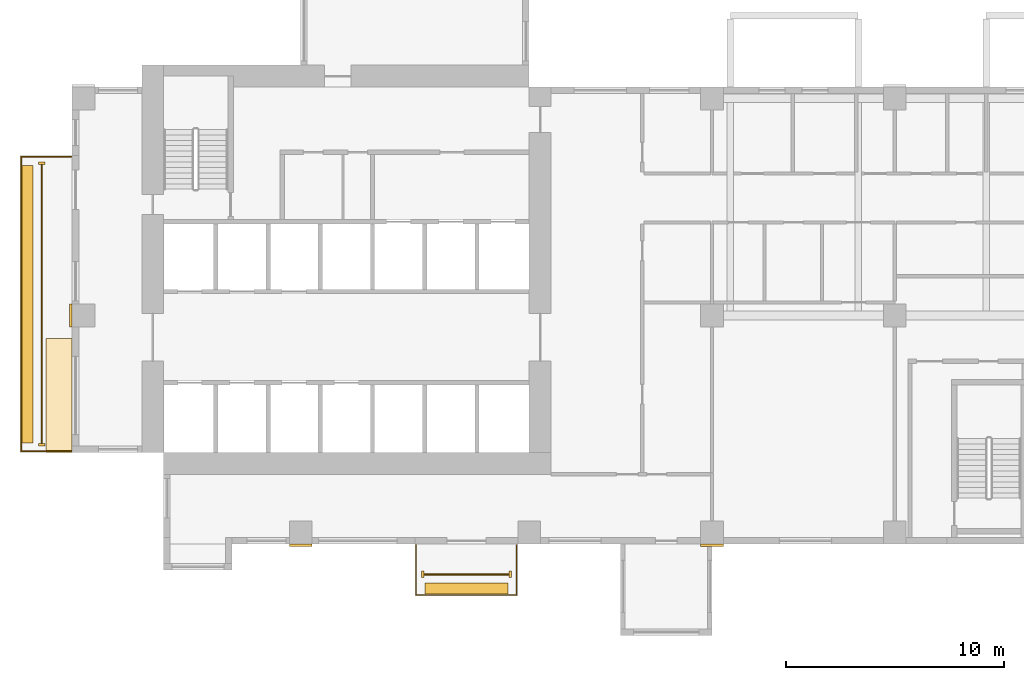
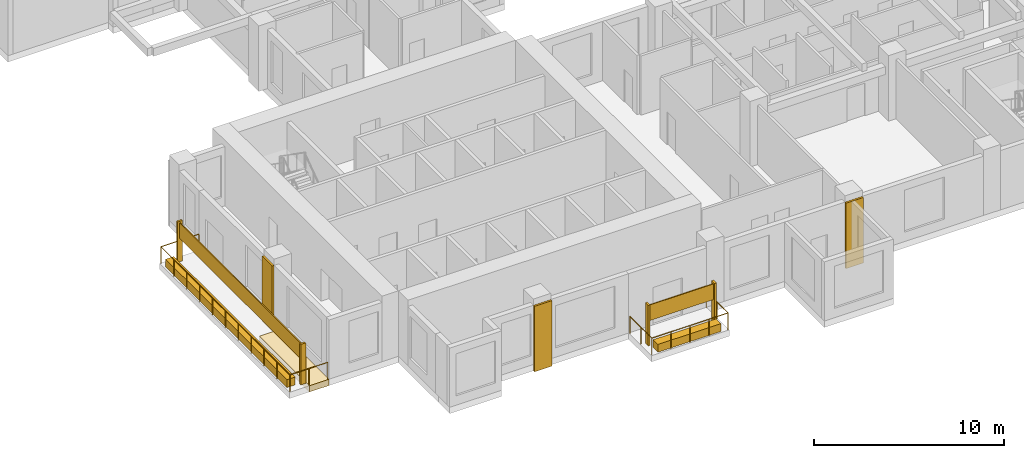
# One storey, part 10 of 14: 12 coverings, 2 railings.
"""IFC4 building model written with IfcOpenShell, lengths in metres."""

from ifc_helpers import new_model, si_unit, direction, frame, origin, origin_2d, place, context, subcontext, project, spatial, polyline, rectangle, circle, outline, extrude, source, transform, mapped, material, type_object, element, save


model = new_model("IFC4")

# Units and contexts
model_context = context("Model", 3, precision=1e-05, world=origin(), true_north=direction((0.0, 1.0)))
body_context = subcontext(model_context, "Body", "Model", "MODEL_VIEW")
ifc_project = project(units=[si_unit("LENGTHUNIT", "METRE"), si_unit("AREAUNIT", "SQUARE_METRE"), si_unit("VOLUMEUNIT", "CUBIC_METRE"), si_unit("PLANEANGLEUNIT", "RADIAN"), si_unit("MASSUNIT", "GRAM", prefix="KILO")], contexts=[model_context])

# Site, building, storey
site_placement = place(None, origin())
site = spatial("IfcSite", under=ifc_project, at=site_placement, CompositionType="ELEMENT")
building_placement = place(site_placement, origin())
building = spatial("IfcBuilding", under=site, at=building_placement, Name="Aurelian Terraces", CompositionType="ELEMENT")
storey_placement = place(building_placement, frame((0.0, 0.0, 132.9)))
storey = spatial("IfcBuildingStorey", under=building, at=storey_placement, Name="L29", CompositionType="ELEMENT", Elevation=132.9)

# Coverings
ifc_material_1 = material(Name="Terracotta rainscreen cladding relief", Category="masonry")
covering_type_1 = type_object("IfcCoveringType", Name="FIN-TC", PredefinedType="CLADDING", material=ifc_material_1)
shared_shape_1 = source(origin(), body_context, "Body", "SweptSolid", [
    extrude(rectangle(XDim=0.3, YDim=0.12, at=origin_2d()), origin(), (0.0, 0.0, 1.0), 2.6),
])
for number, where, z_axis, x_axis, name in (
    (1, (-1.4, 17.5, 0.0), (0.0, 0.0, 1.0), (1.0, 0.0, 0.0), "FIN L29 L29-F22-41.1"),
    (2, (-1.4, 4.55, 0.0), (0.0, 0.0, 1.0), (1.0, 0.0, 0.0), "FIN L29 L29-F22-41.2"),
):
    element("IfcCovering", number, at=place(storey_placement, frame(where, z_axis=z_axis, x_axis=x_axis)), inside=storey, type_object=covering_type_1, Name=name, PredefinedType="CLADDING", context=body_context, shape_type="MappedRepresentation", body=[
        mapped(shared_shape_1, transform((0.0, 0.0, 0.0), scale=1.0)),
    ])
shared_shape_2 = source(origin(), body_context, "Body", "SweptSolid", [
    extrude(rectangle(XDim=0.12, YDim=0.3, at=origin_2d()), origin(), (0.0, 0.0, 1.0), 2.6),
])
for number, where, z_axis, x_axis, name in (
    (3, (16.1, -1.4, 0.0), (0.0, 0.0, 1.0), (1.0, 0.0, 0.0), "FIN L29 L29-F01-04.1"),
    (4, (20.125, -1.4, 0.0), (0.0, 0.0, 1.0), (1.0, 0.0, 0.0), "FIN L29 L29-F01-04.2"),
):
    element("IfcCovering", number, at=place(storey_placement, frame(where, z_axis=z_axis, x_axis=x_axis)), inside=storey, type_object=covering_type_1, Name=name, PredefinedType="CLADDING", context=body_context, shape_type="MappedRepresentation", body=[
        mapped(shared_shape_2, transform((0.0, 0.0, 0.0), scale=1.0)),
    ])

# Railing
ifc_material_2 = material(Name="Anodised aluminium", Category="aluminium")
railing_type = type_object("IfcRailingType", Name="GUARD-1100", PredefinedType="GUARDRAIL", material=ifc_material_2)
shared_shape_3 = source(origin(), body_context, "Body", "SweptSolid", [
    extrude(circle(Radius=0.024, at=origin_2d()), frame((0.0, 0.0, 1.076), z_axis=(-1.0, 0.0, 0.0), x_axis=(0.0, -1.0, 0.0)), (0.0, 0.0, 1.0), 2.3),
    extrude(circle(Radius=0.024, at=origin_2d()), frame((-2.3, 0.0, 1.076), z_axis=(0.0, -1.0, 0.0), x_axis=(1.0, 0.0, 0.0)), (0.0, 0.0, 1.0), 13.55),
    extrude(circle(Radius=0.024, at=origin_2d()), frame((-2.3, -13.55, 1.076), z_axis=(1.0, 0.0, 0.0), x_axis=(0.0, 1.0, 0.0)), (0.0, 0.0, 1.0), 2.3),
    extrude(circle(Radius=0.021, at=origin_2d()), origin(), (0.0, 0.0, 1.0), 1.052),
    extrude(circle(Radius=0.021, at=origin_2d()), frame((-1.15, 0.0, 0.0)), (0.0, 0.0, 1.0), 1.052),
    extrude(circle(Radius=0.021, at=origin_2d()), frame((-2.3, 0.0, 0.0)), (0.0, 0.0, 1.0), 1.052),
    extrude(circle(Radius=0.021, at=origin_2d()), frame((-2.3, -1.355, 0.0)), (0.0, 0.0, 1.0), 1.052),
    extrude(circle(Radius=0.021, at=origin_2d()), frame((-2.3, -2.71, 0.0)), (0.0, 0.0, 1.0), 1.052),
    extrude(circle(Radius=0.021, at=origin_2d()), frame((-2.3, -4.065, 0.0)), (0.0, 0.0, 1.0), 1.052),
    extrude(circle(Radius=0.021, at=origin_2d()), frame((-2.3, -5.42, 0.0)), (0.0, 0.0, 1.0), 1.052),
    extrude(circle(Radius=0.021, at=origin_2d()), frame((-2.3, -6.775, 0.0)), (0.0, 0.0, 1.0), 1.052),
    extrude(circle(Radius=0.021, at=origin_2d()), frame((-2.3, -8.13, 0.0)), (0.0, 0.0, 1.0), 1.052),
    extrude(circle(Radius=0.021, at=origin_2d()), frame((-2.3, -9.485, 0.0)), (0.0, 0.0, 1.0), 1.052),
    extrude(circle(Radius=0.021, at=origin_2d()), frame((-2.3, -10.84, 0.0)), (0.0, 0.0, 1.0), 1.052),
    extrude(circle(Radius=0.021, at=origin_2d()), frame((-2.3, -12.195, 0.0)), (0.0, 0.0, 1.0), 1.052),
    extrude(circle(Radius=0.021, at=origin_2d()), frame((-2.3, -13.55, 0.0)), (0.0, 0.0, 1.0), 1.052),
    extrude(circle(Radius=0.021, at=origin_2d()), frame((-1.15, -13.55, 0.0)), (0.0, 0.0, 1.0), 1.052),
    extrude(circle(Radius=0.021, at=origin_2d()), frame((0.0, -13.55, 0.0)), (0.0, 0.0, 1.0), 1.052),
])
railing_1_placement = place(storey_placement, frame((-0.05, 17.8, 0.0)))
element("IfcRailing", 5, at=railing_1_placement, inside=storey, type_object=railing_type, Name="Balcony guard L29 F22.41", PredefinedType="GUARDRAIL", context=body_context, shape_type="MappedRepresentation", body=[
    mapped(shared_shape_3, transform((0.0, 0.0, 0.0), scale=1.0)),
])

# Coverings
ifc_material_3 = material(Name="Terracotta planter with planting soil", Category="masonry")
covering_type_2 = type_object("IfcCoveringType", Name="PLANTER-TROUGH", PredefinedType="USERDEFINED", material=ifc_material_3)
shared_shape_4 = source(origin(), body_context, "Body", "SweptSolid", [
    extrude(rectangle(XDim=0.5, YDim=12.75, at=origin_2d()), origin(), (0.0, 0.0, 1.0), 0.5),
])
covering_1_placement = place(storey_placement, frame((-2.05, 11.025, 0.0), z_axis=(0.0, 0.0, 1.0), x_axis=(1.0, 0.0, 0.0)))
element("IfcCovering", 6, at=covering_1_placement, inside=storey, type_object=covering_type_2, Name="PLANTER L29 L29-F22-41", ObjectType="PLANTER", PredefinedType="USERDEFINED", context=body_context, shape_type="MappedRepresentation", body=[
    mapped(shared_shape_4, transform((0.0, 0.0, 0.0), scale=1.0)),
])
ifc_material_4 = material(Name="Terracotta rainscreen cladding", Category="masonry")
covering_type_3 = type_object("IfcCoveringType", Name="SCREEN-TC", PredefinedType="CLADDING", material=ifc_material_4)
shared_shape_5 = source(origin(), body_context, "Body", "SweptSolid", [
    extrude(rectangle(XDim=0.06, YDim=12.83, at=origin_2d()), origin(), (0.0, 0.0, 1.0), 1.0),
])
covering_2_placement = place(storey_placement, frame((-1.4, 11.025, 1.5), z_axis=(0.0, 0.0, 1.0), x_axis=(1.0, 0.0, 0.0)))
element("IfcCovering", 7, at=covering_2_placement, inside=storey, type_object=covering_type_3, Name="SCREEN L29 L29-F22-41", PredefinedType="CLADDING", context=body_context, shape_type="MappedRepresentation", body=[
    mapped(shared_shape_5, transform((0.0, 0.0, 0.0), scale=1.0)),
])
covering_type_4 = type_object("IfcCoveringType", Name="BAGUETTE-TC", PredefinedType="CLADDING", material=ifc_material_1)
shared_shape_6 = source(origin(), body_context, "Body", "SweptSolid", [
    extrude(rectangle(XDim=1.05, YDim=0.12, at=origin_2d()), origin(), (0.0, 0.0, 1.0), 4.2),
])
for number, where, z_axis, x_axis, name in (
    (8, (10.5, -0.06, -0.4), (0.0, 0.0, 1.0), (1.0, 0.0, 0.0), "BAGUETTE pier L29 1"),
    (9, (29.4, -0.06, -0.4), (0.0, 0.0, 1.0), (1.0, 0.0, 0.0), "BAGUETTE pier L29 2"),
):
    element("IfcCovering", number, at=place(storey_placement, frame(where, z_axis=z_axis, x_axis=x_axis)), inside=storey, type_object=covering_type_4, Name=name, PredefinedType="CLADDING", context=body_context, shape_type="MappedRepresentation", body=[
        mapped(shared_shape_6, transform((0.0, 0.0, 0.0), scale=1.0)),
    ])
shared_shape_7 = source(origin(), body_context, "Body", "SweptSolid", [
    extrude(rectangle(XDim=0.12, YDim=1.05, at=origin_2d()), origin(), (0.0, 0.0, 1.0), 4.2),
])
covering_3_placement = place(storey_placement, frame((-0.06, 10.5, -0.4), z_axis=(0.0, 0.0, 1.0), x_axis=(1.0, 0.0, 0.0)))
element("IfcCovering", 10, at=covering_3_placement, inside=storey, type_object=covering_type_4, Name="BAGUETTE pier L29 5", PredefinedType="CLADDING", context=body_context, shape_type="MappedRepresentation", body=[
    mapped(shared_shape_7, transform((0.0, 0.0, 0.0), scale=1.0)),
])

# Railing
shared_shape_8 = source(origin(), body_context, "Body", "SweptSolid", [
    extrude(circle(Radius=0.024, at=origin_2d()), frame((0.0, 0.0, 1.076), z_axis=(0.0, -1.0, 0.0), x_axis=(1.0, 0.0, 0.0)), (0.0, 0.0, 1.0), 2.3),
    extrude(circle(Radius=0.024, at=origin_2d()), frame((0.0, -2.3, 1.076), z_axis=(1.0, 0.0, 0.0), x_axis=(0.0, 1.0, 0.0)), (0.0, 0.0, 1.0), 4.625),
    extrude(circle(Radius=0.024, at=origin_2d()), frame((4.625, -2.3, 1.076), z_axis=(0.0, 1.0, 0.0), x_axis=(-1.0, 0.0, 0.0)), (0.0, 0.0, 1.0), 2.3),
    extrude(circle(Radius=0.021, at=origin_2d()), origin(), (0.0, 0.0, 1.0), 1.052),
    extrude(circle(Radius=0.021, at=origin_2d()), frame((0.0, -1.15, 0.0)), (0.0, 0.0, 1.0), 1.052),
    extrude(circle(Radius=0.021, at=origin_2d()), frame((0.0, -2.3, 0.0)), (0.0, 0.0, 1.0), 1.052),
    extrude(circle(Radius=0.021, at=origin_2d()), frame((1.1562, -2.3, 0.0)), (0.0, 0.0, 1.0), 1.052),
    extrude(circle(Radius=0.021, at=origin_2d()), frame((2.3125, -2.3, 0.0)), (0.0, 0.0, 1.0), 1.052),
    extrude(circle(Radius=0.021, at=origin_2d()), frame((3.4688, -2.3, 0.0)), (0.0, 0.0, 1.0), 1.052),
    extrude(circle(Radius=0.021, at=origin_2d()), frame((4.625, -2.3, 0.0)), (0.0, 0.0, 1.0), 1.052),
    extrude(circle(Radius=0.021, at=origin_2d()), frame((4.625, -1.15, 0.0)), (0.0, 0.0, 1.0), 1.052),
    extrude(circle(Radius=0.021, at=origin_2d()), frame((4.625, 0.0, 0.0)), (0.0, 0.0, 1.0), 1.052),
])
railing_2_placement = place(storey_placement, frame((15.8, -0.05, 0.0)))
element("IfcRailing", 11, at=railing_2_placement, inside=storey, type_object=railing_type, Name="Balcony guard L29 F01.4", PredefinedType="GUARDRAIL", context=body_context, shape_type="MappedRepresentation", body=[
    mapped(shared_shape_8, transform((0.0, 0.0, 0.0), scale=1.0)),
])

# Coverings
shared_shape_9 = source(origin(), body_context, "Body", "SweptSolid", [
    extrude(rectangle(XDim=3.825, YDim=0.5, at=origin_2d()), origin(), (0.0, 0.0, 1.0), 0.5),
])
covering_4_placement = place(storey_placement, frame((18.1125, -2.05, 0.0), z_axis=(0.0, 0.0, 1.0), x_axis=(1.0, 0.0, 0.0)))
element("IfcCovering", 12, at=covering_4_placement, inside=storey, type_object=covering_type_2, Name="PLANTER L29 L29-F01-04", ObjectType="PLANTER", PredefinedType="USERDEFINED", context=body_context, shape_type="MappedRepresentation", body=[
    mapped(shared_shape_9, transform((0.0, 0.0, 0.0), scale=1.0)),
])
shared_shape_10 = source(origin(), body_context, "Body", "SweptSolid", [
    extrude(rectangle(XDim=3.905, YDim=0.06, at=origin_2d()), origin(), (0.0, 0.0, 1.0), 1.0),
])
covering_5_placement = place(storey_placement, frame((18.1125, -1.4, 1.5), z_axis=(0.0, 0.0, 1.0), x_axis=(1.0, 0.0, 0.0)))
element("IfcCovering", 13, at=covering_5_placement, inside=storey, type_object=covering_type_3, Name="SCREEN L29 L29-F01-04", PredefinedType="CLADDING", context=body_context, shape_type="MappedRepresentation", body=[
    mapped(shared_shape_10, transform((0.0, 0.0, 0.0), scale=1.0)),
])
ifc_material_5 = material(Name="Terracotta roof tiles on membrane", Category="masonry")
covering_type_5 = type_object("IfcCoveringType", Name="Bay roof cover", PredefinedType="ROOFING", material=ifc_material_5)
shared_shape_11 = source(origin(), body_context, "Body", "SweptSolid", [
    extrude(outline(polyline([(0.0, 4.2), (-1.2, 4.2), (-1.2, 9.45), (0.0, 9.45), (0.0, 4.2)])), origin(), (0.0, 0.0, 1.0), 0.4),
])
covering_6_placement = place(storey_placement, frame((0.0, 0.0, -0.4)))
element("IfcCovering", 14, at=covering_6_placement, inside=storey, type_object=covering_type_5, Name="Bay roof L29 -1.20_4.20_0.00_9.45", PredefinedType="ROOFING", context=body_context, shape_type="MappedRepresentation", body=[
    mapped(shared_shape_11, transform((0.0, 0.0, 0.0), scale=1.0)),
])

save(model, "model.ifc")
